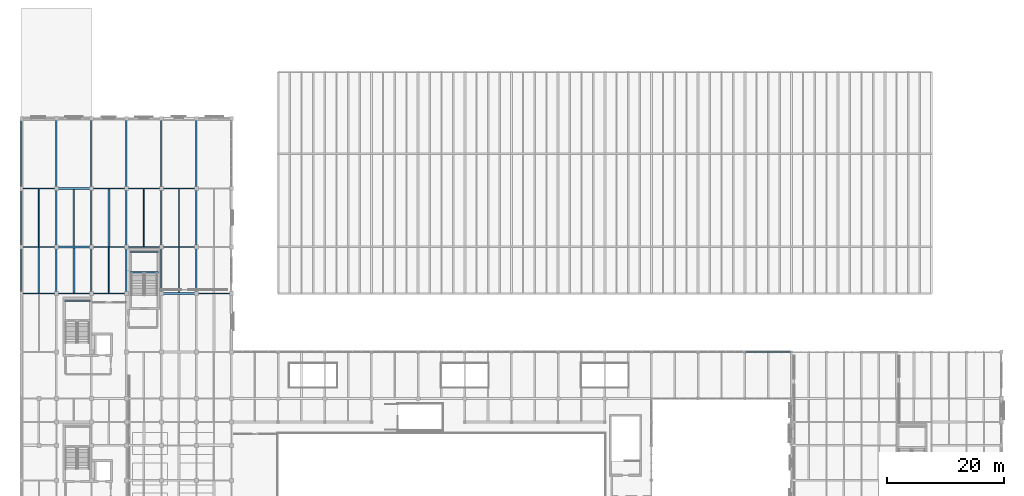
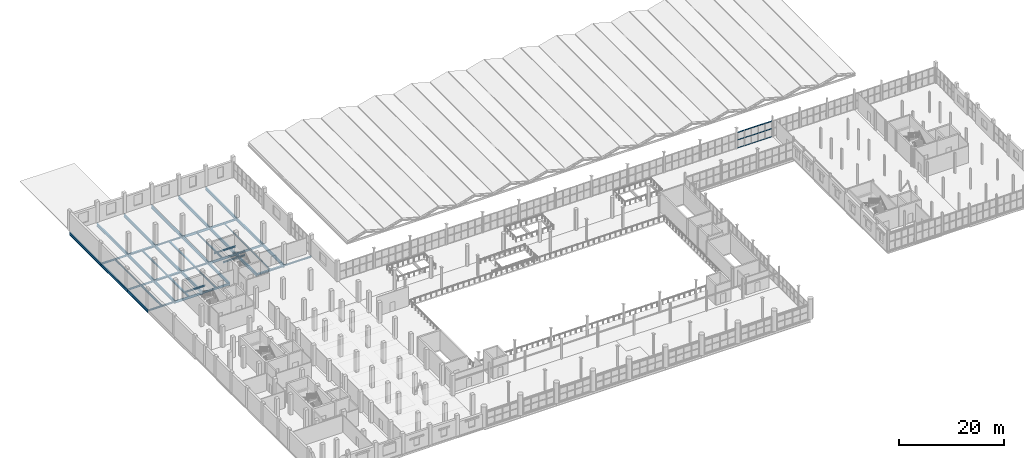
# One storey, part 55 of 114: 45 beams, 3 members, 1 element without a shape of its own.
"""IFC4 building model written with IfcOpenShell, lengths in metres."""

from ifc_helpers import new_model, si_unit, direction, frame, origin, origin_2d, place, context, subcontext, project, spatial, hollow_rectangle, i_section, extrude, material, material_profile, profile_set, type_object, element, aggregate, save


model = new_model("IFC4")

# Units and contexts
model_context = context("Model", 3, precision=1e-05, world=origin(), true_north=direction((0.0, 1.0)))
body_context = subcontext(model_context, "Body", "Model", "MODEL_VIEW")
ifc_project = project(units=[si_unit("LENGTHUNIT", "METRE"), si_unit("AREAUNIT", "SQUARE_METRE"), si_unit("VOLUMEUNIT", "CUBIC_METRE"), si_unit("PLANEANGLEUNIT", "RADIAN"), si_unit("MASSUNIT", "GRAM", prefix="KILO")], contexts=[model_context])

# Site, building, storey
site_placement = place(None, origin())
site = spatial("IfcSite", under=ifc_project, at=site_placement, CompositionType="ELEMENT")
building_placement = place(site_placement, origin())
building = spatial("IfcBuilding", under=site, at=building_placement, Name="Verrall Gate Interchange", CompositionType="ELEMENT")
storey_placement = place(building_placement, frame((0.0, 0.0, 6.60009765625)))
storey = spatial("IfcBuildingStorey", under=building, at=storey_placement, Name="L02", CompositionType="ELEMENT", Elevation=6.60009765625)

# Beams
ifc_material_1 = material(Name="Structural Steel CSA G40.21 350WT Cat 4", Category="steel")
ifc_material_profile_1 = material_profile(ifc_material_1, i_section(OverallWidth=0.256103515625, OverallDepth=0.693115234375, WebThickness=0.01318359375, FlangeThickness=0.02001953125, FilletRadius=0.01611328125, at=origin_2d()), Name="W690x170")
ifc_profile_set_1 = profile_set([ifc_material_profile_1], Name="Structural Steel CSA G40.21 350WT Cat 4")
beam_type_1 = type_object("IfcBeamType", Name="B-07 Structural Beam W690x170", PredefinedType="BEAM", material=ifc_profile_set_1)
beam_1_placement = place(storey_placement, frame((0.0, 66.0, -0.626708984375), z_axis=(0.0, 1.0, 0.0), x_axis=(-1.0, 0.0, 0.0)))
element("IfcBeam", 1, at=beam_1_placement, inside=storey, type_object=beam_type_1, Name="L02 Girder BM-L02-1644 (B-07)", PredefinedType="BEAM", context=body_context, shape_type="SweptSolid", body=[
    extrude(i_section(OverallWidth=0.256103515625, OverallDepth=0.693115234375, WebThickness=0.01318359375, FlangeThickness=0.02001953125, FilletRadius=0.01611328125, at=origin_2d()), origin(), (0.0, 0.0, 1.0), 8.0),
])
beam_2_placement = place(storey_placement, frame((0.0, 74.0, -0.626708984375), z_axis=(0.0, 1.0, 0.0), x_axis=(-1.0, 0.0, 0.0)))
element("IfcBeam", 2, at=beam_2_placement, inside=storey, type_object=beam_type_1, Name="L02 Girder BM-L02-1645 (B-07)", PredefinedType="BEAM", context=body_context, shape_type="SweptSolid", body=[
    extrude(i_section(OverallWidth=0.256103515625, OverallDepth=0.693115234375, WebThickness=0.01318359375, FlangeThickness=0.02001953125, FilletRadius=0.01611328125, at=origin_2d()), origin(), (0.0, 0.0, 1.0), 10.0),
])
beam_3_placement = place(storey_placement, frame((0.0, 84.0, -0.626708984375), z_axis=(0.0, 1.0, 0.0), x_axis=(-1.0, 0.0, 0.0)))
element("IfcBeam", 3, at=beam_3_placement, inside=storey, type_object=beam_type_1, Name="L02 Girder BM-L02-1646 (B-07)", PredefinedType="BEAM", context=body_context, shape_type="SweptSolid", body=[
    extrude(i_section(OverallWidth=0.256103515625, OverallDepth=0.693115234375, WebThickness=0.01318359375, FlangeThickness=0.02001953125, FilletRadius=0.01611328125, at=origin_2d()), origin(), (0.0, 0.0, 1.0), 12.0),
])
beam_4_placement = place(storey_placement, frame((6.0, 66.0, -0.626708984375), z_axis=(0.0, 1.0, 0.0), x_axis=(-1.0, 0.0, 0.0)))
element("IfcBeam", 4, at=beam_4_placement, inside=storey, type_object=beam_type_1, Name="L02 Girder BM-L02-1659 (B-07)", PredefinedType="BEAM", context=body_context, shape_type="SweptSolid", body=[
    extrude(i_section(OverallWidth=0.256103515625, OverallDepth=0.693115234375, WebThickness=0.01318359375, FlangeThickness=0.02001953125, FilletRadius=0.01611328125, at=origin_2d()), origin(), (0.0, 0.0, 1.0), 8.0),
])
beam_5_placement = place(storey_placement, frame((6.0, 74.0, -0.626708984375), z_axis=(0.0, 1.0, 0.0), x_axis=(-1.0, 0.0, 0.0)))
element("IfcBeam", 5, at=beam_5_placement, inside=storey, type_object=beam_type_1, Name="L02 Girder BM-L02-1660 (B-07)", PredefinedType="BEAM", context=body_context, shape_type="SweptSolid", body=[
    extrude(i_section(OverallWidth=0.256103515625, OverallDepth=0.693115234375, WebThickness=0.01318359375, FlangeThickness=0.02001953125, FilletRadius=0.01611328125, at=origin_2d()), origin(), (0.0, 0.0, 1.0), 10.0),
])
beam_6_placement = place(storey_placement, frame((6.0, 84.0, -0.626708984375), z_axis=(0.0, 1.0, 0.0), x_axis=(-1.0, 0.0, 0.0)))
element("IfcBeam", 6, at=beam_6_placement, inside=storey, type_object=beam_type_1, Name="L02 Girder BM-L02-1661 (B-07)", PredefinedType="BEAM", context=body_context, shape_type="SweptSolid", body=[
    extrude(i_section(OverallWidth=0.256103515625, OverallDepth=0.693115234375, WebThickness=0.01318359375, FlangeThickness=0.02001953125, FilletRadius=0.01611328125, at=origin_2d()), origin(), (0.0, 0.0, 1.0), 12.0),
])
beam_7_placement = place(storey_placement, frame((12.0, 66.0, -0.626708984375), z_axis=(0.0, 1.0, 0.0), x_axis=(-1.0, 0.0, 0.0)))
element("IfcBeam", 7, at=beam_7_placement, inside=storey, type_object=beam_type_1, Name="L02 Girder BM-L02-1673 (B-07)", PredefinedType="BEAM", context=body_context, shape_type="SweptSolid", body=[
    extrude(i_section(OverallWidth=0.256103515625, OverallDepth=0.693115234375, WebThickness=0.01318359375, FlangeThickness=0.02001953125, FilletRadius=0.01611328125, at=origin_2d()), origin(), (0.0, 0.0, 1.0), 8.0),
])
beam_8_placement = place(storey_placement, frame((12.0, 74.0, -0.626708984375), z_axis=(0.0, 1.0, 0.0), x_axis=(-1.0, 0.0, 0.0)))
element("IfcBeam", 8, at=beam_8_placement, inside=storey, type_object=beam_type_1, Name="L02 Girder BM-L02-1674 (B-07)", PredefinedType="BEAM", context=body_context, shape_type="SweptSolid", body=[
    extrude(i_section(OverallWidth=0.256103515625, OverallDepth=0.693115234375, WebThickness=0.01318359375, FlangeThickness=0.02001953125, FilletRadius=0.01611328125, at=origin_2d()), origin(), (0.0, 0.0, 1.0), 10.0),
])
beam_9_placement = place(storey_placement, frame((12.0, 84.0, -0.626708984375), z_axis=(0.0, 1.0, 0.0), x_axis=(-1.0, 0.0, 0.0)))
element("IfcBeam", 9, at=beam_9_placement, inside=storey, type_object=beam_type_1, Name="L02 Girder BM-L02-1675 (B-07)", PredefinedType="BEAM", context=body_context, shape_type="SweptSolid", body=[
    extrude(i_section(OverallWidth=0.256103515625, OverallDepth=0.693115234375, WebThickness=0.01318359375, FlangeThickness=0.02001953125, FilletRadius=0.01611328125, at=origin_2d()), origin(), (0.0, 0.0, 1.0), 12.0),
])
beam_10_placement = place(storey_placement, frame((18.0, 66.0, -0.626708984375), z_axis=(0.0, 1.0, 0.0), x_axis=(-1.0, 0.0, 0.0)))
element("IfcBeam", 10, at=beam_10_placement, inside=storey, type_object=beam_type_1, Name="L02 Girder BM-L02-1687 (B-07)", PredefinedType="BEAM", context=body_context, shape_type="SweptSolid", body=[
    extrude(i_section(OverallWidth=0.256103515625, OverallDepth=0.693115234375, WebThickness=0.01318359375, FlangeThickness=0.02001953125, FilletRadius=0.01611328125, at=origin_2d()), origin(), (0.0, 0.0, 1.0), 8.0),
])
beam_11_placement = place(storey_placement, frame((18.0, 74.0, -0.626708984375), z_axis=(0.0, 1.0, 0.0), x_axis=(-1.0, 0.0, 0.0)))
element("IfcBeam", 11, at=beam_11_placement, inside=storey, type_object=beam_type_1, Name="L02 Girder BM-L02-1688 (B-07)", PredefinedType="BEAM", context=body_context, shape_type="SweptSolid", body=[
    extrude(i_section(OverallWidth=0.256103515625, OverallDepth=0.693115234375, WebThickness=0.01318359375, FlangeThickness=0.02001953125, FilletRadius=0.01611328125, at=origin_2d()), origin(), (0.0, 0.0, 1.0), 10.0),
])
beam_12_placement = place(storey_placement, frame((18.0, 84.0, -0.626708984375), z_axis=(0.0, 1.0, 0.0), x_axis=(-1.0, 0.0, 0.0)))
element("IfcBeam", 12, at=beam_12_placement, inside=storey, type_object=beam_type_1, Name="L02 Girder BM-L02-1689 (B-07)", PredefinedType="BEAM", context=body_context, shape_type="SweptSolid", body=[
    extrude(i_section(OverallWidth=0.256103515625, OverallDepth=0.693115234375, WebThickness=0.01318359375, FlangeThickness=0.02001953125, FilletRadius=0.01611328125, at=origin_2d()), origin(), (0.0, 0.0, 1.0), 12.0),
])
beam_13_placement = place(storey_placement, frame((24.0, 66.0, -0.626708984375), z_axis=(0.0, 1.0, 0.0), x_axis=(-1.0, 0.0, 0.0)))
element("IfcBeam", 13, at=beam_13_placement, inside=storey, type_object=beam_type_1, Name="L02 Girder BM-L02-1701 (B-07)", PredefinedType="BEAM", context=body_context, shape_type="SweptSolid", body=[
    extrude(i_section(OverallWidth=0.256103515625, OverallDepth=0.693115234375, WebThickness=0.01318359375, FlangeThickness=0.02001953125, FilletRadius=0.01611328125, at=origin_2d()), origin(), (0.0, 0.0, 1.0), 8.0),
])
beam_14_placement = place(storey_placement, frame((24.0, 74.0, -0.626708984375), z_axis=(0.0, 1.0, 0.0), x_axis=(-1.0, 0.0, 0.0)))
element("IfcBeam", 14, at=beam_14_placement, inside=storey, type_object=beam_type_1, Name="L02 Girder BM-L02-1702 (B-07)", PredefinedType="BEAM", context=body_context, shape_type="SweptSolid", body=[
    extrude(i_section(OverallWidth=0.256103515625, OverallDepth=0.693115234375, WebThickness=0.01318359375, FlangeThickness=0.02001953125, FilletRadius=0.01611328125, at=origin_2d()), origin(), (0.0, 0.0, 1.0), 10.0),
])
beam_15_placement = place(storey_placement, frame((24.0, 84.0, -0.626708984375), z_axis=(0.0, 1.0, 0.0), x_axis=(-1.0, 0.0, 0.0)))
element("IfcBeam", 15, at=beam_15_placement, inside=storey, type_object=beam_type_1, Name="L02 Girder BM-L02-1703 (B-07)", PredefinedType="BEAM", context=body_context, shape_type="SweptSolid", body=[
    extrude(i_section(OverallWidth=0.256103515625, OverallDepth=0.693115234375, WebThickness=0.01318359375, FlangeThickness=0.02001953125, FilletRadius=0.01611328125, at=origin_2d()), origin(), (0.0, 0.0, 1.0), 12.0),
])
beam_16_placement = place(storey_placement, frame((30.0, 66.0, -0.626708984375), z_axis=(0.0, 1.0, 0.0), x_axis=(-1.0, 0.0, 0.0)))
element("IfcBeam", 16, at=beam_16_placement, inside=storey, type_object=beam_type_1, Name="L02 Girder BM-L02-1715 (B-07)", PredefinedType="BEAM", context=body_context, shape_type="SweptSolid", body=[
    extrude(i_section(OverallWidth=0.256103515625, OverallDepth=0.693115234375, WebThickness=0.01318359375, FlangeThickness=0.02001953125, FilletRadius=0.01611328125, at=origin_2d()), origin(), (0.0, 0.0, 1.0), 8.0),
])
beam_17_placement = place(storey_placement, frame((30.0, 74.0, -0.626708984375), z_axis=(0.0, 1.0, 0.0), x_axis=(-1.0, 0.0, 0.0)))
element("IfcBeam", 17, at=beam_17_placement, inside=storey, type_object=beam_type_1, Name="L02 Girder BM-L02-1716 (B-07)", PredefinedType="BEAM", context=body_context, shape_type="SweptSolid", body=[
    extrude(i_section(OverallWidth=0.256103515625, OverallDepth=0.693115234375, WebThickness=0.01318359375, FlangeThickness=0.02001953125, FilletRadius=0.01611328125, at=origin_2d()), origin(), (0.0, 0.0, 1.0), 10.0),
])
beam_18_placement = place(storey_placement, frame((30.0, 84.0, -0.626708984375), z_axis=(0.0, 1.0, 0.0), x_axis=(-1.0, 0.0, 0.0)))
element("IfcBeam", 18, at=beam_18_placement, inside=storey, type_object=beam_type_1, Name="L02 Girder BM-L02-1717 (B-07)", PredefinedType="BEAM", context=body_context, shape_type="SweptSolid", body=[
    extrude(i_section(OverallWidth=0.256103515625, OverallDepth=0.693115234375, WebThickness=0.01318359375, FlangeThickness=0.02001953125, FilletRadius=0.01611328125, at=origin_2d()), origin(), (0.0, 0.0, 1.0), 12.0),
])
ifc_material_2 = material(Name="Structural Steel CSA G40.21 350W", Category="steel")
ifc_material_profile_2 = material_profile(ifc_material_2, i_section(OverallWidth=0.2109375, OverallDepth=0.5390625, WebThickness=0.01171875, FlangeThickness=0.018798828125, FilletRadius=0.013916015625, at=origin_2d()), Name="W530x109")
ifc_profile_set_2 = profile_set([ifc_material_profile_2], Name="Structural Steel CSA G40.21 350W")
beam_type_2 = type_object("IfcBeamType", Name="B-10 Structural Beam W530x109", PredefinedType="BEAM", material=ifc_profile_set_2)
for number, where, z_axis, x_axis, name in (
    (19, (6.0, 66.0, -0.549560546875), (1.0, 0.0, 0.0), (0.0, 1.0, 0.0), "L02 Girder BM-L02-1611 (B-10)"),
    (20, (18.0, 74.0, -0.549560546875), (1.0, 0.0, 0.0), (0.0, 1.0, 0.0), "L02 Girder BM-L02-1618 (B-10)"),
    (21, (18.0, 84.0, -0.549560546875), (1.0, 0.0, 0.0), (0.0, 1.0, 0.0), "L02 Girder BM-L02-1624 (B-10)"),
):
    element("IfcBeam", number, at=place(storey_placement, frame(where, z_axis=z_axis, x_axis=x_axis)), inside=storey, type_object=beam_type_2, Name=name, PredefinedType="BEAM", context=body_context, shape_type="SweptSolid", body=[
        extrude(i_section(OverallWidth=0.2109375, OverallDepth=0.5390625, WebThickness=0.01171875, FlangeThickness=0.018798828125, FilletRadius=0.013916015625, at=origin_2d()), origin(), (0.0, 0.0, 1.0), 6.0),
    ])
ifc_material_3 = material(Name="Structural Steel CSA G40.21 350W", Category="steel")
ifc_material_profile_3 = material_profile(ifc_material_3, i_section(OverallWidth=0.19189453125, OverallDepth=0.462890625, WebThickness=0.010498046875, FlangeThickness=0.017578125, FilletRadius=0.012939453125, at=origin_2d()), Name="W460x89")
ifc_profile_set_3 = profile_set([ifc_material_profile_3], Name="Structural Steel CSA G40.21 350W")
beam_type_3 = type_object("IfcBeamType", Name="B-11 Structural Beam W460x89", PredefinedType="BEAM", material=ifc_profile_set_3)
for number, where, z_axis, x_axis, name in (
    (22, (12.0, 66.0, -0.51171875), (1.0, 0.0, 0.0), (0.0, 1.0, 0.0), "L02 Girder BM-L02-1612 (B-11)"),
    (23, (24.0, 74.0, -0.51171875), (1.0, 0.0, 0.0), (0.0, 1.0, 0.0), "L02 Girder BM-L02-1619 (B-11)"),
    (24, (24.0, 84.0, -0.51171875), (1.0, 0.0, 0.0), (0.0, 1.0, 0.0), "L02 Girder BM-L02-1625 (B-11)"),
):
    element("IfcBeam", number, at=place(storey_placement, frame(where, z_axis=z_axis, x_axis=x_axis)), inside=storey, type_object=beam_type_3, Name=name, PredefinedType="BEAM", context=body_context, shape_type="SweptSolid", body=[
        extrude(i_section(OverallWidth=0.19189453125, OverallDepth=0.462890625, WebThickness=0.010498046875, FlangeThickness=0.017578125, FilletRadius=0.012939453125, at=origin_2d()), origin(), (0.0, 0.0, 1.0), 6.0),
    ])
ifc_material_4 = material(Name="Structural Steel CSA G40.21 350W", Category="steel")
ifc_material_profile_4 = material_profile(ifc_material_4, i_section(OverallWidth=0.178955078125, OverallDepth=0.409912109375, WebThickness=0.0087890625, FlangeThickness=0.014404296875, FilletRadius=0.011962890625, at=origin_2d()), Name="W410x67")
ifc_profile_set_4 = profile_set([ifc_material_profile_4], Name="Structural Steel CSA G40.21 350W")
beam_type_4 = type_object("IfcBeamType", Name="B-12 Structural Beam W410x67", PredefinedType="BEAM", material=ifc_profile_set_4)
for number, where, z_axis, x_axis, name in (
    (25, (0.0, 74.0, -0.485107421875), (1.0, 0.0, 0.0), (0.0, 1.0, 0.0), "L02 Girder BM-L02-1615 (B-12)"),
    (26, (0.0, 84.0, -0.485107421875), (1.0, 0.0, 0.0), (0.0, 1.0, 0.0), "L02 Girder BM-L02-1621 (B-12)"),
):
    element("IfcBeam", number, at=place(storey_placement, frame(where, z_axis=z_axis, x_axis=x_axis)), inside=storey, type_object=beam_type_4, Name=name, PredefinedType="BEAM", context=body_context, shape_type="SweptSolid", body=[
        extrude(i_section(OverallWidth=0.178955078125, OverallDepth=0.409912109375, WebThickness=0.0087890625, FlangeThickness=0.014404296875, FilletRadius=0.011962890625, at=origin_2d()), origin(), (0.0, 0.0, 1.0), 6.0),
    ])
ifc_material_5 = material(Name="Structural Steel CSA G40.21 350W", Category="steel")
ifc_material_profile_5 = material_profile(ifc_material_5, i_section(OverallWidth=0.368896484375, OverallDepth=0.35595703125, WebThickness=0.01123046875, FlangeThickness=0.01806640625, FilletRadius=0.014892578125, at=origin_2d()), Name="W360x134")
ifc_profile_set_5 = profile_set([ifc_material_profile_5], Name="Structural Steel CSA G40.21 350W")
beam_type_5 = type_object("IfcBeamType", Name="B-13 Structural Beam W360x134", PredefinedType="BEAM", material=ifc_profile_set_5)
for number, where, z_axis, x_axis, name in (
    (27, (24.0, 66.0, -0.4580078125), (1.0, 0.0, 0.0), (0.0, 1.0, 0.0), "L02 Girder BM-L02-1613 (B-13)"),
    (28, (6.0, 74.0, -0.4580078125), (1.0, 0.0, 0.0), (0.0, 1.0, 0.0), "L02 Girder BM-L02-1616 (B-13)"),
    (29, (6.0, 84.0, -0.4580078125), (1.0, 0.0, 0.0), (0.0, 1.0, 0.0), "L02 Girder BM-L02-1622 (B-13)"),
):
    element("IfcBeam", number, at=place(storey_placement, frame(where, z_axis=z_axis, x_axis=x_axis)), inside=storey, type_object=beam_type_5, Name=name, PredefinedType="BEAM", context=body_context, shape_type="SweptSolid", body=[
        extrude(i_section(OverallWidth=0.368896484375, OverallDepth=0.35595703125, WebThickness=0.01123046875, FlangeThickness=0.01806640625, FilletRadius=0.014892578125, at=origin_2d()), origin(), (0.0, 0.0, 1.0), 6.0),
    ])
ifc_material_6 = material(Name="Structural Steel CSA G40.21 350W", Category="steel")
ifc_material_profile_6 = material_profile(ifc_material_6, i_section(OverallWidth=0.205078125, OverallDepth=0.35400390625, WebThickness=0.009521484375, FlangeThickness=0.016845703125, FilletRadius=0.012939453125, at=origin_2d()), Name="W360x79")
ifc_profile_set_6 = profile_set([ifc_material_profile_6], Name="Structural Steel CSA G40.21 350W")
beam_type_6 = type_object("IfcBeamType", Name="B-14 Structural Beam W360x79", PredefinedType="BEAM", material=ifc_profile_set_6)
for number, where, z_axis, x_axis, name in (
    (30, (0.0, 66.0, -0.45703125), (1.0, 0.0, 0.0), (0.0, 1.0, 0.0), "L02 Girder BM-L02-1610 (B-14)"),
    (31, (30.0, 66.0, -0.45703125), (1.0, 0.0, 0.0), (0.0, 1.0, 0.0), "L02 Girder BM-L02-1614 (B-14)"),
    (32, (12.0, 74.0, -0.45703125), (1.0, 0.0, 0.0), (0.0, 1.0, 0.0), "L02 Girder BM-L02-1617 (B-14)"),
    (33, (12.0, 84.0, -0.45703125), (1.0, 0.0, 0.0), (0.0, 1.0, 0.0), "L02 Girder BM-L02-1623 (B-14)"),
):
    element("IfcBeam", number, at=place(storey_placement, frame(where, z_axis=z_axis, x_axis=x_axis)), inside=storey, type_object=beam_type_6, Name=name, PredefinedType="BEAM", context=body_context, shape_type="SweptSolid", body=[
        extrude(i_section(OverallWidth=0.205078125, OverallDepth=0.35400390625, WebThickness=0.009521484375, FlangeThickness=0.016845703125, FilletRadius=0.012939453125, at=origin_2d()), origin(), (0.0, 0.0, 1.0), 6.0),
    ])
beam_19_placement = place(storey_placement, frame((7.35009765625, 64.719970703125, 2.02978515625), z_axis=(1.0, 0.0, 0.0), x_axis=(0.0, 1.0, 0.0)))
element("IfcBeam", 34, at=beam_19_placement, inside=storey, type_object=beam_type_6, Name="L02 Core C3 Mid-Landing Beam 2", PredefinedType="BEAM", context=body_context, shape_type="SweptSolid", body=[
    extrude(i_section(OverallWidth=0.205078125, OverallDepth=0.35400390625, WebThickness=0.009521484375, FlangeThickness=0.016845703125, FilletRadius=0.012939453125, at=origin_2d()), origin(), (0.0, 0.0, 1.0), 4.5),
])
for number, where, z_axis, x_axis, name in (
    (35, (18.6298828125, 69.669921875, 2.02978515625), (1.0, 0.0, 0.0), (0.0, 1.0, 0.0), "L02 Core C4 Mid-Landing Beam 1"),
    (36, (18.6298828125, 73.1201171875, 2.02978515625), (1.0, 0.0, 0.0), (0.0, 1.0, 0.0), "L02 Core C4 Mid-Landing Beam 2"),
):
    element("IfcBeam", number, at=place(storey_placement, frame(where, z_axis=z_axis, x_axis=x_axis)), inside=storey, type_object=beam_type_6, Name=name, PredefinedType="BEAM", context=body_context, shape_type="SweptSolid", body=[
        extrude(i_section(OverallWidth=0.205078125, OverallDepth=0.35400390625, WebThickness=0.009521484375, FlangeThickness=0.016845703125, FilletRadius=0.012939453125, at=origin_2d()), origin(), (0.0, 0.0, 1.0), 4.840087890625),
    ])

# Curtain wall, members
ifc_material_7 = material(Name="Thermally Broken Anodized Aluminium Curtain Wall Framing", Category="aluminium")
curtain_wall_type = type_object("IfcCurtainWallType", Name="CW-21 Unitized Curtain Wall 7631x3680", PredefinedType="NOTDEFINED", material=ifc_material_7)
curtain_wall_placement = place(storey_placement, origin())
curtain_wall = element("IfcCurtainWall", 37, at=curtain_wall_placement, inside=storey, type_object=curtain_wall_type, Name="L02 Unitized Curtain Wall CW-L02-073", PredefinedType="NOTDEFINED")
ifc_material_8 = material(Name="Thermally Broken Anodized Aluminium Curtain Wall Framing", Category="aluminium")
ifc_material_profile_7 = material_profile(ifc_material_8, hollow_rectangle(XDim=0.14990234375, YDim=0.074951171875, WallThickness=0.00439453125, InnerFilletRadius=0.00439453125, OuterFilletRadius=0.009033203125, at=origin_2d()), Name="CWT150x75x4.5")
ifc_profile_set_7 = profile_set([ifc_material_profile_7], Name="Thermally Broken Anodized Aluminium Curtain Wall Framing")
member_type = type_object("IfcMemberType", Name="CT-02 Curtain Transom CWT150x75x4.5", PredefinedType="USERDEFINED", material=ifc_profile_set_7)
member_1_placement = place(storey_placement, frame((131.814453125, 56.0, 0.037353515625), z_axis=(-1.0, 0.0, 0.0), x_axis=(0.0, -1.0, 0.0)))
member_1 = element("IfcMember", 38, at=member_1_placement, type_object=member_type, Name="CW-L02-073 Transom 1", ObjectType="TRANSOM", PredefinedType="USERDEFINED", context=body_context, shape_type="SweptSolid", body=[
    extrude(hollow_rectangle(XDim=0.14990234375, YDim=0.074951171875, WallThickness=0.00439453125, InnerFilletRadius=0.00439453125, OuterFilletRadius=0.009033203125, at=origin_2d()), origin(), (0.0, 0.0, 1.0), 7.6298828125),
])
member_2_placement = place(storey_placement, frame((131.814453125, 56.0, 1.91357421875), z_axis=(-1.0, 0.0, 0.0), x_axis=(0.0, -1.0, 0.0)))
member_2 = element("IfcMember", 39, at=member_2_placement, type_object=member_type, Name="CW-L02-073 Transom 2", ObjectType="TRANSOM", PredefinedType="USERDEFINED", context=body_context, shape_type="SweptSolid", body=[
    extrude(hollow_rectangle(XDim=0.14990234375, YDim=0.074951171875, WallThickness=0.00439453125, InnerFilletRadius=0.00439453125, OuterFilletRadius=0.009033203125, at=origin_2d()), origin(), (0.0, 0.0, 1.0), 7.6298828125),
])
member_3_placement = place(storey_placement, frame((131.814453125, 56.0, 3.642333984375), z_axis=(-1.0, 0.0, 0.0), x_axis=(0.0, -1.0, 0.0)))
member_3 = element("IfcMember", 40, at=member_3_placement, type_object=member_type, Name="CW-L02-073 Transom 3", ObjectType="TRANSOM", PredefinedType="USERDEFINED", context=body_context, shape_type="SweptSolid", body=[
    extrude(hollow_rectangle(XDim=0.14990234375, YDim=0.074951171875, WallThickness=0.00439453125, InnerFilletRadius=0.00439453125, OuterFilletRadius=0.009033203125, at=origin_2d()), origin(), (0.0, 0.0, 1.0), 7.6298828125),
])
aggregate(curtain_wall, [member_1, member_2, member_3])

# Beams
ifc_material_9 = material(Name="Structural Steel CSA G40.21 350W", Category="steel")
ifc_material_profile_8 = material_profile(ifc_material_9, i_section(OverallWidth=0.172119140625, OverallDepth=0.35791015625, WebThickness=0.0078125, FlangeThickness=0.01318359375, FilletRadius=0.010986328125, at=origin_2d()), Name="W360x57")
ifc_profile_set_8 = profile_set([ifc_material_profile_8], Name="Structural Steel CSA G40.21 350W")
beam_type_7 = type_object("IfcBeamType", Name="J-01 Floor Joist W360x57", PredefinedType="JOIST", material=ifc_profile_set_8)
beam_20_placement = place(storey_placement, frame((15.0, 66.095947265625, -0.458984375), z_axis=(0.0, 1.0, 0.0), x_axis=(-1.0, 0.0, 0.0)))
element("IfcBeam", 41, at=beam_20_placement, inside=storey, type_object=beam_type_7, Name="L02 Secondary Floor Joist JST-L02-1966", PredefinedType="JOIST", context=body_context, shape_type="SweptSolid", body=[
    extrude(i_section(OverallWidth=0.172119140625, OverallDepth=0.35791015625, WebThickness=0.0078125, FlangeThickness=0.01318359375, FilletRadius=0.010986328125, at=origin_2d()), origin(), (0.0, 0.0, 1.0), 7.801513671875),
])
beam_21_placement = place(storey_placement, frame((21.0, 74.10546875, -0.458984375), z_axis=(0.0, 1.0, 0.0), x_axis=(-1.0, 0.0, 0.0)))
element("IfcBeam", 42, at=beam_21_placement, inside=storey, type_object=beam_type_7, Name="L02 Secondary Floor Joist JST-L02-1972", PredefinedType="JOIST", context=body_context, shape_type="SweptSolid", body=[
    extrude(i_section(OverallWidth=0.172119140625, OverallDepth=0.35791015625, WebThickness=0.0078125, FlangeThickness=0.01318359375, FilletRadius=0.010986328125, at=origin_2d()), origin(), (0.0, 0.0, 1.0), 9.7890625),
])
ifc_material_10 = material(Name="Structural Steel CSA G40.21 350W", Category="steel")
ifc_material_profile_9 = material_profile(ifc_material_10, i_section(OverallWidth=0.306884765625, OverallDepth=0.31396484375, WebThickness=0.011962890625, FlangeThickness=0.018798828125, FilletRadius=0.013916015625, at=origin_2d()), Name="W310x118")
ifc_profile_set_9 = profile_set([ifc_material_profile_9], Name="Structural Steel CSA G40.21 350W")
beam_type_8 = type_object("IfcBeamType", Name="J-02 Floor Joist W310x118", PredefinedType="JOIST", material=ifc_profile_set_9)
beam_22_placement = place(storey_placement, frame((9.0, 66.10546875, -0.43701171875), z_axis=(0.0, 1.0, 0.0), x_axis=(-1.0, 0.0, 0.0)))
element("IfcBeam", 43, at=beam_22_placement, inside=storey, type_object=beam_type_8, Name="L02 Secondary Floor Joist JST-L02-1965", PredefinedType="JOIST", context=body_context, shape_type="SweptSolid", body=[
    extrude(i_section(OverallWidth=0.306884765625, OverallDepth=0.31396484375, WebThickness=0.011962890625, FlangeThickness=0.018798828125, FilletRadius=0.013916015625, at=origin_2d()), origin(), (0.0, 0.0, 1.0), 7.7099609375),
])
beam_23_placement = place(storey_placement, frame((15.0, 74.1025390625, -0.43701171875), z_axis=(0.0, 1.0, 0.0), x_axis=(-1.0, 0.0, 0.0)))
element("IfcBeam", 44, at=beam_23_placement, inside=storey, type_object=beam_type_8, Name="L02 Secondary Floor Joist JST-L02-1971", PredefinedType="JOIST", context=body_context, shape_type="SweptSolid", body=[
    extrude(i_section(OverallWidth=0.306884765625, OverallDepth=0.31396484375, WebThickness=0.011962890625, FlangeThickness=0.018798828125, FilletRadius=0.013916015625, at=origin_2d()), origin(), (0.0, 0.0, 1.0), 9.794921875),
])
ifc_material_11 = material(Name="Structural Steel CSA G40.21 350W", Category="steel")
ifc_material_profile_10 = material_profile(ifc_material_11, i_section(OverallWidth=0.25390625, OverallDepth=0.305908203125, WebThickness=0.0087890625, FlangeThickness=0.0146484375, FilletRadius=0.012939453125, at=origin_2d()), Name="W310x79")
ifc_profile_set_10 = profile_set([ifc_material_profile_10], Name="Structural Steel CSA G40.21 350W")
beam_type_9 = type_object("IfcBeamType", Name="J-03 Floor Joist W310x79", PredefinedType="JOIST", material=ifc_profile_set_10)
beam_24_placement = place(storey_placement, frame((3.0, 66.1025390625, -0.43310546875), z_axis=(0.0, 1.0, 0.0), x_axis=(-1.0, 0.0, 0.0)))
element("IfcBeam", 45, at=beam_24_placement, inside=storey, type_object=beam_type_9, Name="L02 Secondary Floor Joist JST-L02-1964", PredefinedType="JOIST", context=body_context, shape_type="SweptSolid", body=[
    extrude(i_section(OverallWidth=0.25390625, OverallDepth=0.305908203125, WebThickness=0.0087890625, FlangeThickness=0.0146484375, FilletRadius=0.012939453125, at=origin_2d()), origin(), (0.0, 0.0, 1.0), 7.807861328125),
])
beam_25_placement = place(storey_placement, frame((9.0, 74.1845703125, -0.43310546875), z_axis=(0.0, 1.0, 0.0), x_axis=(-1.0, 0.0, 0.0)))
element("IfcBeam", 46, at=beam_25_placement, inside=storey, type_object=beam_type_9, Name="L02 Secondary Floor Joist JST-L02-1970", PredefinedType="JOIST", context=body_context, shape_type="SweptSolid", body=[
    extrude(i_section(OverallWidth=0.25390625, OverallDepth=0.305908203125, WebThickness=0.0087890625, FlangeThickness=0.0146484375, FilletRadius=0.012939453125, at=origin_2d()), origin(), (0.0, 0.0, 1.0), 9.630859375),
])
ifc_material_12 = material(Name="Structural Steel CSA G40.21 350W", Category="steel")
ifc_material_profile_11 = material_profile(ifc_material_12, i_section(OverallWidth=0.1650390625, OverallDepth=0.31005859375, WebThickness=0.005859375, FlangeThickness=0.009765625, FilletRadius=0.010009765625, at=origin_2d()), Name="W310x39")
ifc_profile_set_11 = profile_set([ifc_material_profile_11], Name="Structural Steel CSA G40.21 350W")
beam_type_10 = type_object("IfcBeamType", Name="J-04 Floor Joist W310x39", PredefinedType="JOIST", material=ifc_profile_set_11)
beam_26_placement = place(storey_placement, frame((3.0, 74.089599609375, -0.43505859375), z_axis=(0.0, 1.0, 0.0), x_axis=(-1.0, 0.0, 0.0)))
element("IfcBeam", 47, at=beam_26_placement, inside=storey, type_object=beam_type_10, Name="L02 Secondary Floor Joist JST-L02-1969", PredefinedType="JOIST", context=body_context, shape_type="SweptSolid", body=[
    extrude(i_section(OverallWidth=0.1650390625, OverallDepth=0.31005859375, WebThickness=0.005859375, FlangeThickness=0.009765625, FilletRadius=0.010009765625, at=origin_2d()), origin(), (0.0, 0.0, 1.0), 9.82080078125),
])
ifc_material_13 = material(Name="Structural Steel CSA G40.21 350W", Category="steel")
ifc_material_profile_12 = material_profile(ifc_material_13, i_section(OverallWidth=0.201904296875, OverallDepth=0.2470703125, WebThickness=0.00732421875, FlangeThickness=0.010986328125, FilletRadius=0.010986328125, at=origin_2d()), Name="W250x49")
ifc_profile_set_12 = profile_set([ifc_material_profile_12], Name="Structural Steel CSA G40.21 350W")
beam_type_11 = type_object("IfcBeamType", Name="J-06 Floor Joist W250x49", PredefinedType="JOIST", material=ifc_profile_set_12)
beam_27_placement = place(storey_placement, frame((27.0, 66.1845703125, -0.403564453125), z_axis=(0.0, 1.0, 0.0), x_axis=(-1.0, 0.0, 0.0)))
element("IfcBeam", 48, at=beam_27_placement, inside=storey, type_object=beam_type_11, Name="L02 Secondary Floor Joist JST-L02-1967", PredefinedType="JOIST", context=body_context, shape_type="SweptSolid", body=[
    extrude(i_section(OverallWidth=0.201904296875, OverallDepth=0.2470703125, WebThickness=0.00732421875, FlangeThickness=0.010986328125, FilletRadius=0.010986328125, at=origin_2d()), origin(), (0.0, 0.0, 1.0), 7.719482421875),
])
ifc_material_14 = material(Name="Structural Steel CSA G40.21 350W", Category="steel")
ifc_material_profile_13 = material_profile(ifc_material_14, i_section(OverallWidth=0.202880859375, OverallDepth=0.202880859375, WebThickness=0.007080078125, FlangeThickness=0.010986328125, FilletRadius=0.010009765625, at=origin_2d()), Name="W200x46")
ifc_profile_set_13 = profile_set([ifc_material_profile_13], Name="Structural Steel CSA G40.21 350W")
beam_type_12 = type_object("IfcBeamType", Name="J-07 Floor Joist W200x46", PredefinedType="JOIST", material=ifc_profile_set_13)
beam_28_placement = place(storey_placement, frame((27.0, 74.095947265625, -0.381591796875), z_axis=(0.0, 1.0, 0.0), x_axis=(-1.0, 0.0, 0.0)))
element("IfcBeam", 49, at=beam_28_placement, inside=storey, type_object=beam_type_12, Name="L02 Secondary Floor Joist JST-L02-1973", PredefinedType="JOIST", context=body_context, shape_type="SweptSolid", body=[
    extrude(i_section(OverallWidth=0.202880859375, OverallDepth=0.202880859375, WebThickness=0.007080078125, FlangeThickness=0.010986328125, FilletRadius=0.010009765625, at=origin_2d()), origin(), (0.0, 0.0, 1.0), 9.80810546875),
])

save(model, "model.ifc")
